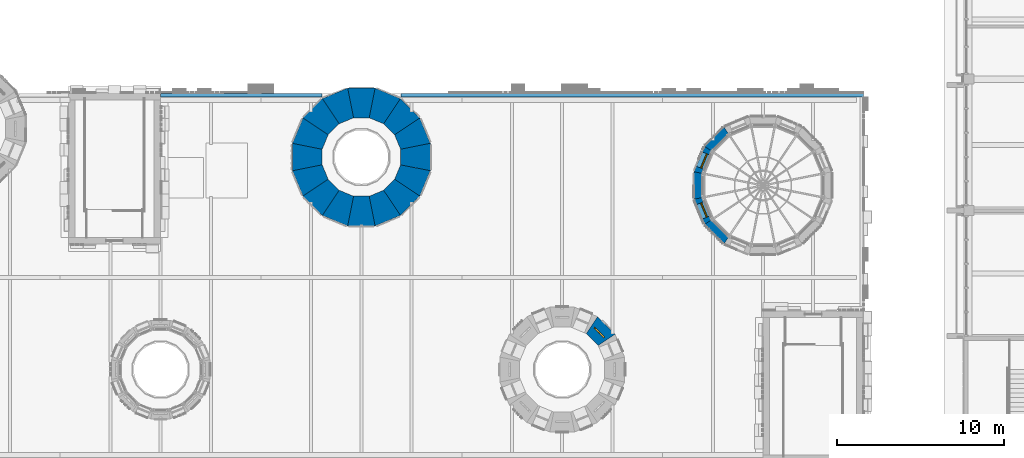
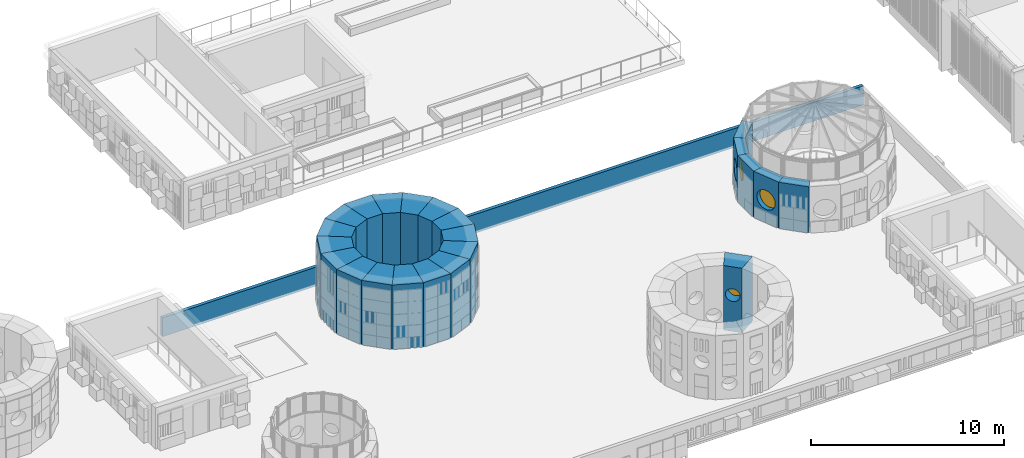
# One storey, part 52 of 98: 24 walls, 3 windows, 3 openings.
"""IFC4 building model written with IfcOpenShell, lengths in metres."""

from ifc_helpers import new_model, si_unit, direction, frame, frame_2d, origin, place, context, subcontext, project, spatial, polyline, rectangle, circle, outline, extrude, material, layer, layer_set, type_object, element, fill, save


model = new_model("IFC4")

# Units and contexts
model_context = context("Model", 3, precision=1e-05, world=origin(), true_north=direction((0.0, 1.0)))
body_context = subcontext(model_context, "Body", "Model", "MODEL_VIEW")
ifc_project = project(units=[si_unit("LENGTHUNIT", "METRE"), si_unit("AREAUNIT", "SQUARE_METRE"), si_unit("VOLUMEUNIT", "CUBIC_METRE"), si_unit("PLANEANGLEUNIT", "RADIAN"), si_unit("MASSUNIT", "GRAM", prefix="KILO")], contexts=[model_context])

# Site, building, storey
site_placement = place(None, origin())
site = spatial("IfcSite", under=ifc_project, at=site_placement, CompositionType="ELEMENT")
building_placement = place(site_placement, origin())
building = spatial("IfcBuilding", under=site, at=building_placement, Name="Sun Court Science Centre", CompositionType="ELEMENT")
storey_placement = place(building_placement, frame((0.0, 0.0, 15.75)))
storey = spatial("IfcBuildingStorey", under=building, at=storey_placement, Name="L03", CompositionType="ELEMENT", Elevation=15.75)

# Wall, opening, window
ifc_material_1 = material(Name="Concrete C30/37", Category="concrete")
ifc_layer_1 = layer(ifc_material_1, 1.18798828125)
ifc_layer_set_1 = layer_set([ifc_layer_1], Name="Concrete C30/37")
wall_type_1 = type_object("IfcWallType", Name="RC cone ring wall exterior 1188", PredefinedType="SHEAR", material=ifc_layer_set_1)
wall_1_placement = place(storey_placement, frame((56.739501953125, 13.19091796875, 0.110107421875), z_axis=(0.0, 0.0, 1.0), x_axis=(-0.707106781187, 0.707106781187, 0.0)))
wall_1 = element("IfcWall", 1, at=wall_1_placement, inside=storey, type_object=wall_type_1, Name="Cone 5 ring wall L03 segment 2", PredefinedType="SHEAR", context=body_context, shape_type="SweptSolid", body=[
    extrude(outline(polyline([(0.0, -0.59423828125), (1.48291015625, -0.59423828125), (1.246337890625, 0.59423828125), (0.236572265625, 0.59423828125), (0.0, -0.59423828125)])), origin(), (0.0, 0.0, 1.0), 4.08984375),
])
opening_1_placement = place(wall_1_placement, frame((0.34130859375, 0.0, 1.89990234375)))
opening_1 = element("IfcOpeningElement", 2, at=opening_1_placement, cuts=wall_1, Name="Opening WN-L03-041", PredefinedType="OPENING", context=body_context, shape_type="SweptSolid", body=[
    extrude(circle(Radius=0.39990234375, at=frame_2d((0.39990234375, 0.39990234375))), frame((0.0, 0.604248046875, 0.0), z_axis=(0.0, -1.0, 0.0), x_axis=(1.0, 0.0, 0.0)), (0.0, 0.0, 1.0), 1.20849609375),
])
ifc_material_2 = material(Name="Aluminium frame, 6-12-6 glazing", Category="aluminium")
window_type_1 = type_object("IfcWindowType", Name="Round porthole 800", PartitioningType="SINGLE_PANEL", PredefinedType="WINDOW", material=ifc_material_2)
window_1_placement = place(opening_1_placement, origin())
window_1 = element("IfcWindow", 3, at=window_1_placement, inside=storey, type_object=window_type_1, Name="Round porthole cone 5 ring 4 02", OverallHeight=0.800048828125, OverallWidth=0.800048828125, PartitioningType="SINGLE_PANEL", PredefinedType="WINDOW", context=body_context, shape_type="SweptSolid", body=[
    extrude(circle(Radius=0.39990234375, at=frame_2d((0.39990234375, 0.39990234375))), frame((0.0, 0.030029296875, 0.0), z_axis=(0.0, -1.0, 0.0), x_axis=(1.0, 0.0, 0.0)), (0.0, 0.0, 1.0), 0.06005859375),
])
fill(opening_1, window_1)

# Walls
ifc_material_3 = material(Name="Concrete C30/37", Category="concrete")
ifc_layer_2 = layer(ifc_material_3, 1.777099609375)
ifc_layer_set_2 = layer_set([ifc_layer_2], Name="Concrete C30/37")
wall_type_2 = type_object("IfcWallType", Name="RC cone ring wall exterior 1777", PredefinedType="SHEAR", material=ifc_layer_set_2)
wall_2_placement = place(storey_placement, frame((45.29833984375, 24.679443359375, 0.110107421875), z_axis=(0.0, 0.0, 1.0), x_axis=(-0.382614973625, 0.923907886078, 0.0)))
element("IfcWall", 4, at=wall_2_placement, inside=storey, type_object=wall_type_2, Name="Cone 4 ring wall L03 segment 1", PredefinedType="SHEAR", context=body_context, shape_type="SweptSolid", body=[
    extrude(outline(polyline([(-0.000244140625, -0.888671875), (1.638671875, -0.888427734375), (1.28515625, 0.888427734375), (0.353515625, 0.888427734375), (-0.000244140625, -0.888671875)])), origin(), (0.0, 0.0, 1.0), 4.08984375),
])
wall_3_placement = place(storey_placement, frame((44.864013671875, 25.905029296875, 0.110107421875), z_axis=(0.0, 0.0, 1.0), x_axis=(-0.707106781187, 0.707106781187, 0.0)))
element("IfcWall", 5, at=wall_3_placement, inside=storey, type_object=wall_type_2, Name="Cone 4 ring wall L03 segment 2", PredefinedType="SHEAR", context=body_context, shape_type="SweptSolid", body=[
    extrude(outline(polyline([(0.000244140625, -0.888427734375), (1.638916015625, -0.888427734375), (1.285400390625, 0.888427734375), (0.353515625, 0.888427734375), (0.000244140625, -0.888427734375)])), origin(), (0.0, 0.0, 1.0), 4.08984375),
])
wall_4_placement = place(storey_placement, frame((43.993408203125, 26.871337890625, 0.110107421875), z_axis=(0.0, 0.0, 1.0), x_axis=(-0.923855211025, 0.382742144351, 0.0)))
element("IfcWall", 6, at=wall_4_placement, inside=storey, type_object=wall_type_2, Name="Cone 4 ring wall L03 segment 3", PredefinedType="SHEAR", context=body_context, shape_type="SweptSolid", body=[
    extrude(outline(polyline([(0.0, -0.888427734375), (1.638916015625, -0.888427734375), (1.285400390625, 0.888427734375), (0.353271484375, 0.888427734375), (0.0, -0.888427734375)])), origin(), (0.0, 0.0, 1.0), 4.08984375),
])
wall_5_placement = place(storey_placement, frame((42.8193359375, 27.430908203125, 0.110107421875), z_axis=(0.0, 0.0, 1.0), x_axis=(-1.0, 0.0, 0.0)))
element("IfcWall", 7, at=wall_5_placement, inside=storey, type_object=wall_type_2, Name="Cone 4 ring wall L03 segment 4", PredefinedType="SHEAR", context=body_context, shape_type="SweptSolid", body=[
    extrude(outline(polyline([(0.0, -0.888427734375), (1.638671875, -0.888427734375), (1.28515625, 0.888427734375), (0.353515625, 0.888427734375), (0.0, -0.888427734375)])), origin(), (0.0, 0.0, 1.0), 4.08984375),
])
wall_6_placement = place(storey_placement, frame((41.5205078125, 27.49853515625, 0.110107421875), z_axis=(0.0, 0.0, 1.0), x_axis=(-0.923855211025, -0.382742144351, 0.0)))
element("IfcWall", 8, at=wall_6_placement, inside=storey, type_object=wall_type_2, Name="Cone 4 ring wall L03 segment 5", PredefinedType="SHEAR", context=body_context, shape_type="SweptSolid", body=[
    extrude(outline(polyline([(-0.000244140625, -0.888427734375), (1.638671875, -0.888427734375), (1.285400390625, 0.888427734375), (0.353271484375, 0.888427734375), (-0.000244140625, -0.888427734375)])), origin(), (0.0, 0.0, 1.0), 4.08984375),
])
wall_7_placement = place(storey_placement, frame((40.294921875, 27.06396484375, 0.110107421875), z_axis=(0.0, 0.0, 1.0), x_axis=(-0.707106781187, -0.707106781187, 0.0)))
element("IfcWall", 9, at=wall_7_placement, inside=storey, type_object=wall_type_2, Name="Cone 4 ring wall L03 segment 6", PredefinedType="SHEAR", context=body_context, shape_type="SweptSolid", body=[
    extrude(outline(polyline([(0.000244140625, -0.888427734375), (1.638916015625, -0.888427734375), (1.285400390625, 0.888427734375), (0.353515625, 0.888427734375), (0.000244140625, -0.888427734375)])), origin(), (0.0, 0.0, 1.0), 4.08984375),
])
wall_8_placement = place(storey_placement, frame((39.32861328125, 26.193359375, 0.110107421875), z_axis=(0.0, 0.0, 1.0), x_axis=(-0.382614973625, -0.923907886078, 0.0)))
element("IfcWall", 10, at=wall_8_placement, inside=storey, type_object=wall_type_2, Name="Cone 4 ring wall L03 segment 7", PredefinedType="SHEAR", context=body_context, shape_type="SweptSolid", body=[
    extrude(outline(polyline([(-0.000244140625, -0.888427734375), (1.638671875, -0.888671875), (1.28515625, 0.888427734375), (0.353515625, 0.888427734375), (-0.000244140625, -0.888427734375)])), origin(), (0.0, 0.0, 1.0), 4.08984375),
])
wall_9_placement = place(storey_placement, frame((38.769287109375, 25.019287109375, 0.110107421875), z_axis=(0.0, 0.0, 1.0), x_axis=(0.0, -1.0, 0.0)))
element("IfcWall", 11, at=wall_9_placement, inside=storey, type_object=wall_type_2, Name="Cone 4 ring wall L03 segment 8", PredefinedType="SHEAR", context=body_context, shape_type="SweptSolid", body=[
    extrude(outline(polyline([(0.0, -0.888671875), (1.638671875, -0.888671875), (1.28515625, 0.888427734375), (0.353271484375, 0.888427734375), (0.0, -0.888671875)])), origin(), (0.0, 0.0, 1.0), 4.08984375),
])
wall_10_placement = place(storey_placement, frame((38.70166015625, 23.720703125, 0.110107421875), z_axis=(0.0, 0.0, 1.0), x_axis=(0.382562310949, -0.923929693343, 0.0)))
element("IfcWall", 12, at=wall_10_placement, inside=storey, type_object=wall_type_2, Name="Cone 4 ring wall L03 segment 9", PredefinedType="SHEAR", context=body_context, shape_type="SweptSolid", body=[
    extrude(outline(polyline([(0.0, -0.888671875), (1.638916015625, -0.888427734375), (1.28515625, 0.888427734375), (0.353271484375, 0.888427734375), (0.0, -0.888671875)])), origin(), (0.0, 0.0, 1.0), 4.08984375),
])
wall_11_placement = place(storey_placement, frame((39.135986328125, 22.494873046875, 0.110107421875), z_axis=(0.0, 0.0, 1.0), x_axis=(0.707181264441, -0.707032290086, 0.0)))
element("IfcWall", 13, at=wall_11_placement, inside=storey, type_object=wall_type_2, Name="Cone 4 ring wall L03 segment 10", PredefinedType="SHEAR", context=body_context, shape_type="SweptSolid", body=[
    extrude(outline(polyline([(0.0, -0.888427734375), (1.638671875, -0.888671875), (1.28564453125, 0.88818359375), (0.353515625, 0.888427734375), (0.0, -0.888427734375)])), origin(), (0.0, 0.0, 1.0), 4.08984375),
])
wall_12_placement = place(storey_placement, frame((40.006591796875, 21.528564453125, 0.110107421875), z_axis=(0.0, 0.0, 1.0), x_axis=(0.923907886078, -0.382614973625, 0.0)))
element("IfcWall", 14, at=wall_12_placement, inside=storey, type_object=wall_type_2, Name="Cone 4 ring wall L03 segment 11", PredefinedType="SHEAR", context=body_context, shape_type="SweptSolid", body=[
    extrude(outline(polyline([(-0.000244140625, -0.888427734375), (1.638671875, -0.888427734375), (1.285400390625, 0.888427734375), (0.353515625, 0.888427734375), (-0.000244140625, -0.888427734375)])), origin(), (0.0, 0.0, 1.0), 4.08984375),
])
wall_13_placement = place(storey_placement, frame((41.1806640625, 20.96923828125, 0.110107421875), z_axis=(0.0, 0.0, 1.0), x_axis=(1.0, 0.0, 0.0)))
element("IfcWall", 15, at=wall_13_placement, inside=storey, type_object=wall_type_2, Name="Cone 4 ring wall L03 segment 12", PredefinedType="SHEAR", context=body_context, shape_type="SweptSolid", body=[
    extrude(outline(polyline([(0.0, -0.888427734375), (1.638671875, -0.888427734375), (1.28515625, 0.888427734375), (0.353515625, 0.888427734375), (0.0, -0.888427734375)])), origin(), (0.0, 0.0, 1.0), 4.08984375),
])
wall_14_placement = place(storey_placement, frame((42.4794921875, 20.901611328125, 0.110107421875), z_axis=(0.0, 0.0, 1.0), x_axis=(0.923907886078, 0.382614973625, 0.0)))
element("IfcWall", 16, at=wall_14_placement, inside=storey, type_object=wall_type_2, Name="Cone 4 ring wall L03 segment 13", PredefinedType="SHEAR", context=body_context, shape_type="SweptSolid", body=[
    extrude(outline(polyline([(0.0, -0.888427734375), (1.638671875, -0.888427734375), (1.28515625, 0.888427734375), (0.353271484375, 0.888427734375), (0.0, -0.888427734375)])), origin(), (0.0, 0.0, 1.0), 4.08984375),
])
wall_15_placement = place(storey_placement, frame((43.705078125, 21.336181640625, 0.110107421875), z_axis=(0.0, 0.0, 1.0), x_axis=(0.707181264441, 0.707032290086, 0.0)))
element("IfcWall", 17, at=wall_15_placement, inside=storey, type_object=wall_type_2, Name="Cone 4 ring wall L03 segment 14", PredefinedType="SHEAR", context=body_context, shape_type="SweptSolid", body=[
    extrude(outline(polyline([(0.0, -0.888671875), (1.638916015625, -0.888427734375), (1.285400390625, 0.888427734375), (0.353271484375, 0.88818359375), (0.0, -0.888671875)])), origin(), (0.0, 0.0, 1.0), 4.08984375),
])
wall_16_placement = place(storey_placement, frame((44.67138671875, 22.20654296875, 0.110107421875), z_axis=(0.0, 0.0, 1.0), x_axis=(0.382562310949, 0.923929693343, 0.0)))
element("IfcWall", 18, at=wall_16_placement, inside=storey, type_object=wall_type_2, Name="Cone 4 ring wall L03 segment 15", PredefinedType="SHEAR", context=body_context, shape_type="SweptSolid", body=[
    extrude(outline(polyline([(0.0, -0.888427734375), (1.638671875, -0.888671875), (1.285400390625, 0.888427734375), (0.353759765625, 0.888427734375), (0.0, -0.888427734375)])), origin(), (0.0, 0.0, 1.0), 4.08984375),
])
wall_17_placement = place(storey_placement, frame((45.230712890625, 23.380615234375, 0.110107421875), z_axis=(0.0, 0.0, 1.0), x_axis=(0.0, 1.0, 0.0)))
element("IfcWall", 19, at=wall_17_placement, inside=storey, type_object=wall_type_2, Name="Cone 4 ring wall L03 segment 16", PredefinedType="SHEAR", context=body_context, shape_type="SweptSolid", body=[
    extrude(outline(polyline([(0.0, -0.888671875), (1.638671875, -0.888671875), (1.285400390625, 0.888427734375), (0.353515625, 0.888427734375), (0.0, -0.888671875)])), origin(), (0.0, 0.0, 1.0), 4.08984375),
])
ifc_material_4 = material(Name="Concrete C30/37", Category="concrete")
ifc_layer_3 = layer(ifc_material_4, 0.60009765625)
ifc_layer_set_3 = layer_set([ifc_layer_3], Name="Concrete C30/37")
wall_type_3 = type_object("IfcWallType", Name="RC cone ring wall exterior 600", PredefinedType="SHEAR", material=ifc_layer_set_3)
wall_18_placement = place(storey_placement, frame((63.878662109375, 25.780029296875, 0.110107421875), z_axis=(0.0, 0.0, 1.0), x_axis=(-0.707106781187, -0.707106781187, 0.0)))
element("IfcWall", 20, at=wall_18_placement, inside=storey, type_object=wall_type_3, Name="Cone 6 ring wall L03 segment 6", PredefinedType="SHEAR", context=body_context, shape_type="SweptSolid", body=[
    extrude(outline(polyline([(0.0, -0.300048828125), (1.638671875, -0.300048828125), (1.519287109375, 0.30029296875), (0.119384765625, 0.30029296875), (0.0, -0.300048828125)])), origin(), (0.0, 0.0, 1.0), 2.93994140625),
])

# Wall, opening, window
wall_19_placement = place(storey_placement, frame((62.784912109375, 24.718505859375, 0.110107421875), z_axis=(0.0, 0.0, 1.0), x_axis=(-0.382614973625, -0.923907886078, 0.0)))
wall_19 = element("IfcWall", 21, at=wall_19_placement, inside=storey, type_object=wall_type_3, Name="Cone 6 ring wall L03 segment 7", PredefinedType="SHEAR", context=body_context, shape_type="SweptSolid", body=[
    extrude(outline(polyline([(-0.000244140625, -0.300048828125), (1.638671875, -0.300048828125), (1.519287109375, 0.300048828125), (0.119384765625, 0.30029296875), (-0.000244140625, -0.300048828125)])), origin(), (0.0, 0.0, 1.0), 2.93994140625),
])
opening_2_placement = place(wall_19_placement, frame((0.219482421875, 0.0, 0.8701171875)))
opening_2 = element("IfcOpeningElement", 22, at=opening_2_placement, cuts=wall_19, Name="Opening WN-L03-052", PredefinedType="OPENING", context=body_context, shape_type="SweptSolid", body=[
    extrude(circle(Radius=0.60009765625, at=frame_2d((0.60009765625, 0.60009765625))), frame((0.0, 0.31005859375, 0.0), z_axis=(0.0, -1.0, 0.0), x_axis=(1.0, 0.0, 0.0)), (0.0, 0.0, 1.0), 0.6201171875),
])
ifc_material_5 = material(Name="Aluminium frame, 6-12-6 glazing", Category="aluminium")
window_type_2 = type_object("IfcWindowType", Name="Round porthole 1200", PartitioningType="SINGLE_PANEL", PredefinedType="WINDOW", material=ifc_material_5)
window_2_placement = place(opening_2_placement, origin())
window_2 = element("IfcWindow", 23, at=window_2_placement, inside=storey, type_object=window_type_2, Name="Round porthole cone 6 ring 4 07", OverallHeight=1.199951171875, OverallWidth=1.199951171875, PartitioningType="SINGLE_PANEL", PredefinedType="WINDOW", context=body_context, shape_type="SweptSolid", body=[
    extrude(circle(Radius=0.60009765625, at=frame_2d((0.60009765625, 0.60009765625))), frame((0.0, 0.030029296875, 0.0), z_axis=(0.0, -1.0, 0.0), x_axis=(1.0, 0.0, 0.0)), (0.0, 0.0, 1.0), 0.06005859375),
])
fill(opening_2, window_2)

# Wall
wall_20_placement = place(storey_placement, frame((62.1806640625, 23.3193359375, 0.110107421875), z_axis=(0.0, 0.0, 1.0), x_axis=(0.0, -1.0, 0.0)))
element("IfcWall", 24, at=wall_20_placement, inside=storey, type_object=wall_type_3, Name="Cone 6 ring wall L03 segment 8", PredefinedType="SHEAR", context=body_context, shape_type="SweptSolid", body=[
    extrude(outline(polyline([(0.0, -0.300048828125), (1.638671875, -0.300048828125), (1.519287109375, 0.300048828125), (0.119384765625, 0.300048828125), (0.0, -0.300048828125)])), origin(), (0.0, 0.0, 1.0), 2.93994140625),
])

# Wall, opening, window
wall_21_placement = place(storey_placement, frame((62.157958984375, 21.79541015625, 0.110107421875), z_axis=(0.0, 0.0, 1.0), x_axis=(0.382614973625, -0.923907886078, 0.0)))
wall_21 = element("IfcWall", 25, at=wall_21_placement, inside=storey, type_object=wall_type_3, Name="Cone 6 ring wall L03 segment 9", PredefinedType="SHEAR", context=body_context, shape_type="SweptSolid", body=[
    extrude(outline(polyline([(0.0, -0.300048828125), (1.638916015625, -0.300048828125), (1.519287109375, 0.30029296875), (0.119140625, 0.300048828125), (0.0, -0.300048828125)])), origin(), (0.0, 0.0, 1.0), 2.93994140625),
])
opening_3_placement = place(wall_21_placement, frame((0.219482421875, 0.0, 0.8701171875)))
opening_3 = element("IfcOpeningElement", 26, at=opening_3_placement, cuts=wall_21, Name="Opening WN-L03-053", PredefinedType="OPENING", context=body_context, shape_type="SweptSolid", body=[
    extrude(circle(Radius=0.60009765625, at=frame_2d((0.60009765625, 0.60009765625))), frame((0.0, 0.31005859375, 0.0), z_axis=(0.0, -1.0, 0.0), x_axis=(1.0, 0.0, 0.0)), (0.0, 0.0, 1.0), 0.6201171875),
])
window_3_placement = place(opening_3_placement, origin())
window_3 = element("IfcWindow", 27, at=window_3_placement, inside=storey, type_object=window_type_2, Name="Round porthole cone 6 ring 4 09", OverallHeight=1.199951171875, OverallWidth=1.199951171875, PartitioningType="SINGLE_PANEL", PredefinedType="WINDOW", context=body_context, shape_type="SweptSolid", body=[
    extrude(circle(Radius=0.60009765625, at=frame_2d((0.60009765625, 0.60009765625))), frame((0.0, 0.030029296875, 0.0), z_axis=(0.0, -1.0, 0.0), x_axis=(1.0, 0.0, 0.0)), (0.0, 0.0, 1.0), 0.06005859375),
])
fill(opening_3, window_3)

# Walls
wall_22_placement = place(storey_placement, frame((62.719970703125, 20.378662109375, 0.110107421875), z_axis=(0.0, 0.0, 1.0), x_axis=(0.707106781187, -0.707106781187, 0.0)))
element("IfcWall", 28, at=wall_22_placement, inside=storey, type_object=wall_type_3, Name="Cone 6 ring wall L03 segment 10", PredefinedType="SHEAR", context=body_context, shape_type="SweptSolid", body=[
    extrude(outline(polyline([(0.0, -0.300048828125), (1.638671875, -0.300048828125), (1.519287109375, 0.30029296875), (0.119384765625, 0.30029296875), (0.0, -0.300048828125)])), origin(), (0.0, 0.0, 1.0), 2.93994140625),
])
ifc_material_6 = material(Name="Concrete C30/37", Category="concrete")
ifc_layer_4 = layer(ifc_material_6, 0.199951171875)
ifc_layer_set_4 = layer_set([ifc_layer_4], Name="Concrete C30/37")
wall_type_4 = type_object("IfcWallType", Name="RC parapet 200", PredefinedType="PARAPET", material=ifc_layer_set_4)
wall_23_placement = place(storey_placement, frame((30.0, 27.89990234375, 0.0), z_axis=(0.0, 0.0, 1.0), x_axis=(1.0, 0.0, 0.0)))
element("IfcWall", 29, at=wall_23_placement, inside=storey, type_object=wall_type_4, Name="Roof parapet north face 03", PredefinedType="PARAPET", context=body_context, shape_type="SweptSolid", body=[
    extrude(rectangle(XDim=9.635498046875, YDim=0.199951171875, at=frame_2d((4.81787109375, 0.0))), origin(), (0.0, 0.0, 1.0), 1.199951171875),
])
wall_24_placement = place(storey_placement, frame((44.364501953125, 27.89990234375, 0.0), z_axis=(0.0, 0.0, 1.0), x_axis=(1.0, 0.0, 0.0)))
element("IfcWall", 30, at=wall_24_placement, inside=storey, type_object=wall_type_4, Name="Roof parapet north face 04", PredefinedType="PARAPET", context=body_context, shape_type="SweptSolid", body=[
    extrude(rectangle(XDim=27.635498046875, YDim=0.199951171875, at=frame_2d((13.81787109375, 0.0))), origin(), (0.0, 0.0, 1.0), 1.199951171875),
])

save(model, "model.ifc")
